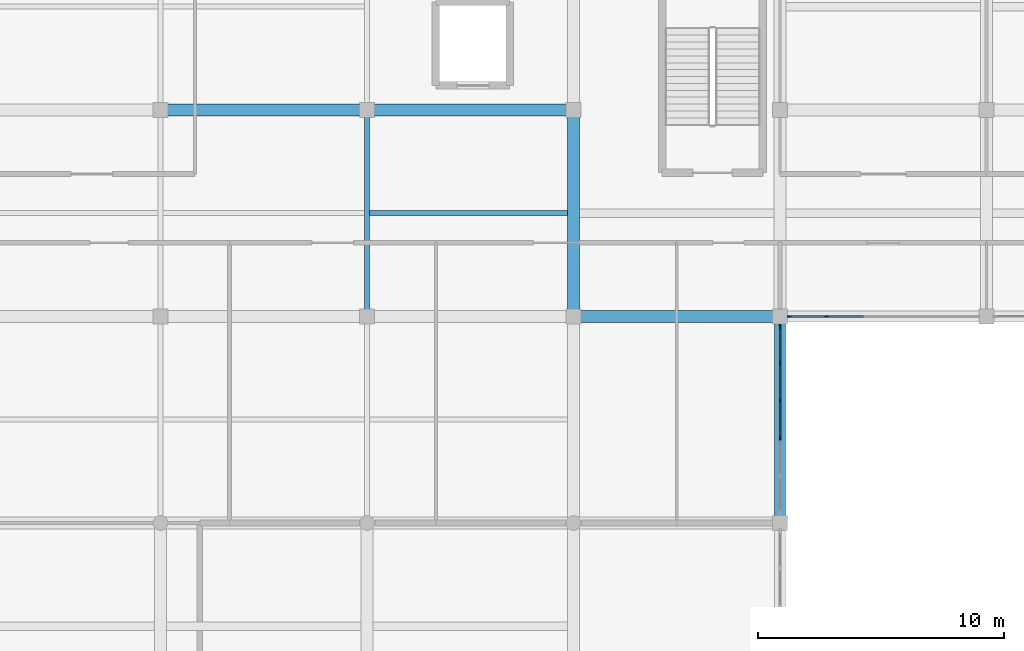
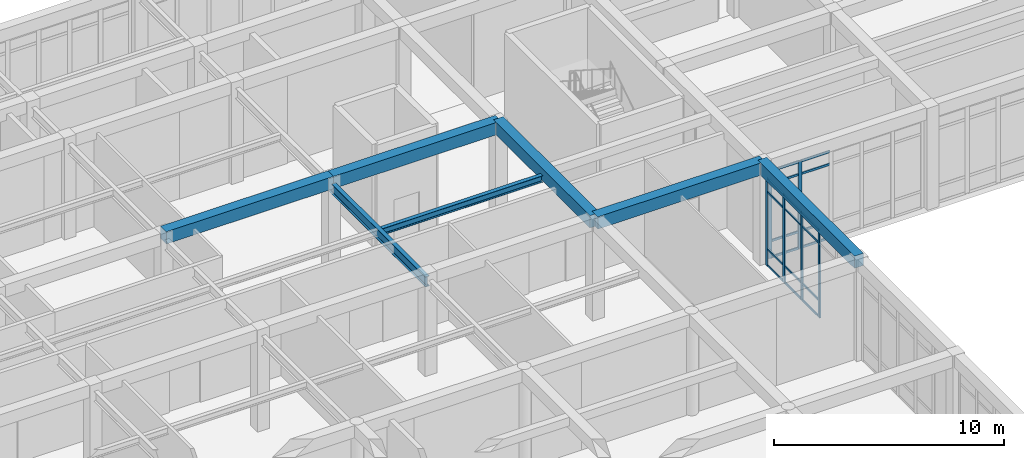
# One storey, part 25 of 89: 26 members, 7 beams, 2 elements without a shape of their own.
"""IFC4 building model written with IfcOpenShell, lengths in metres."""

from ifc_helpers import new_model, si_unit, direction, frame, origin, origin_2d, place, context, subcontext, project, spatial, rectangle, i_section, extrude, material, material_profile, profile_set, type_object, element, aggregate, save


model = new_model("IFC4")

# Units and contexts
model_context = context("Model", 3, precision=1e-05, world=origin(), true_north=direction((0.0, 1.0)))
body_context = subcontext(model_context, "Body", "Model", "MODEL_VIEW")
ifc_project = project(units=[si_unit("LENGTHUNIT", "METRE"), si_unit("AREAUNIT", "SQUARE_METRE"), si_unit("VOLUMEUNIT", "CUBIC_METRE"), si_unit("PLANEANGLEUNIT", "RADIAN"), si_unit("MASSUNIT", "GRAM", prefix="KILO")], contexts=[model_context])

# Site, building, storey
site_placement = place(None, origin())
site = spatial("IfcSite", under=ifc_project, at=site_placement, CompositionType="ELEMENT")
building_placement = place(site_placement, origin())
building = spatial("IfcBuilding", under=site, at=building_placement, Name="Varncliffe General Hospital", CompositionType="ELEMENT")
storey_placement = place(building_placement, frame((0.0, 0.0, 10.800048828125)))
storey = spatial("IfcBuildingStorey", under=building, at=storey_placement, Name="L02", CompositionType="ELEMENT", Elevation=10.800048828125)

# Beams
ifc_material_1 = material(Name="Concrete C35/45 (CSA A23.1 35 MPa)", Category="concrete")
ifc_material_profile_1 = material_profile(ifc_material_1, rectangle(XDim=0.5, YDim=0.64990234375, at=origin_2d()), Name="RC 500x650")
ifc_profile_set_1 = profile_set([ifc_material_profile_1], Name="Concrete C35/45 (CSA A23.1 35 MPa)")
beam_type_1 = type_object("IfcBeamType", Name="Beam B29 (Int RC 500x650)", PredefinedType="BEAM", material=ifc_profile_set_1)
for number, where, z_axis, x_axis, name in (
    (1, (109.199951171875, 82.800048828125, 5.074951171875), (1.0, 0.0, 0.0), (0.0, 1.0, 0.0), "L02 Primary Beam B29-106"),
    (2, (92.39990234375, 91.199951171875, 5.074951171875), (1.0, 0.0, 0.0), (0.0, 1.0, 0.0), "L02 Primary Beam B29-123"),
):
    element("IfcBeam", number, at=place(storey_placement, frame(where, z_axis=z_axis, x_axis=x_axis)), inside=storey, type_object=beam_type_1, Name=name, PredefinedType="BEAM", context=body_context, shape_type="SweptSolid", body=[
        extrude(rectangle(XDim=0.5, YDim=0.64990234375, at=origin_2d()), origin(), (0.0, 0.0, 1.0), 8.400146484375),
    ])
for number, where, z_axis, x_axis, name in (
    (3, (100.800048828125, 91.199951171875, 5.074951171875), (1.0, 0.0, 0.0), (0.0, 1.0, 0.0), "L02 Primary Beam B29-124"),
    (4, (109.199951171875, 82.800048828125, 5.074951171875), (0.0, 1.0, 0.0), (-1.0, 0.0, 0.0), "L02 Primary Beam B29-377"),
):
    element("IfcBeam", number, at=place(storey_placement, frame(where, z_axis=z_axis, x_axis=x_axis)), inside=storey, type_object=beam_type_1, Name=name, PredefinedType="BEAM", context=body_context, shape_type="SweptSolid", body=[
        extrude(rectangle(XDim=0.5, YDim=0.64990234375, at=origin_2d()), origin(), (0.0, 0.0, 1.0), 8.39990234375),
    ])
ifc_material_2 = material(Name="Steel S355 (CSA G40.21 350W)", Category="steel")
ifc_material_profile_2 = material_profile(ifc_material_2, i_section(OverallWidth=0.2109375, OverallDepth=0.5390625, WebThickness=0.01171875, FlangeThickness=0.018798828125, FilletRadius=0.013916015625, at=origin_2d()), Name="W530x109")
ifc_profile_set_2 = profile_set([ifc_material_profile_2], Name="Steel S355 (CSA G40.21 350W)")
beam_type_2 = type_object("IfcBeamType", Name="Beam B56 (Int W530x109)", PredefinedType="BEAM", material=ifc_profile_set_2)
beam_1_placement = place(storey_placement, frame((100.800048828125, 82.800048828125, 4.7705078125), z_axis=(0.0, 1.0, 0.0), x_axis=(-1.0, 0.0, 0.0)))
element("IfcBeam", 5, at=beam_1_placement, inside=storey, type_object=beam_type_2, Name="L02 Primary Beam B56-368", PredefinedType="BEAM", context=body_context, shape_type="SweptSolid", body=[
    extrude(i_section(OverallWidth=0.2109375, OverallDepth=0.5390625, WebThickness=0.01171875, FlangeThickness=0.018798828125, FilletRadius=0.013916015625, at=origin_2d()), origin(), (0.0, 0.0, 1.0), 8.39990234375),
])

# Curtain wall, members
ifc_material_3 = material(Name="Triple low-E argon insulated vision glazing", Category="glass")
curtain_wall_type_1 = type_object("IfcCurtainWallType", Name="Unitised Glazed Curtain Wall CW70 (7724x4640)", PredefinedType="USERDEFINED", material=ifc_material_3)
curtain_wall_1_placement = place(storey_placement, origin())
curtain_wall_1 = element("IfcCurtainWall", 6, at=curtain_wall_1_placement, inside=storey, type_object=curtain_wall_type_1, Name="L02 Glazed Curtain Wall CW70-130", ObjectType="GLAZED CURTAIN WALL", PredefinedType="USERDEFINED")
ifc_material_4 = material(Name="Dark bronze thermally broken aluminium framing", Category="aluminium")
ifc_material_profile_3 = material_profile(ifc_material_4, rectangle(XDim=0.074951171875, YDim=0.179931640625, at=origin_2d()), Name="ALU 75x180")
ifc_profile_set_3 = profile_set([ifc_material_profile_3], Name="Dark bronze thermally broken aluminium framing")
member_type_1 = type_object("IfcMemberType", Name="Curtain Wall Mullion CM44 (ALU 75x180)", PredefinedType="MULLION", material=ifc_profile_set_3)
member_1_placement = place(storey_placement, frame((119.48291015625, 82.800048828125, 0.0), z_axis=(0.0, 0.0, 1.0), x_axis=(0.0, -1.0, 0.0)))
member_1 = element("IfcMember", 7, at=member_1_placement, type_object=member_type_1, Name="CW70 mullion 5", PredefinedType="MULLION", context=body_context, shape_type="SweptSolid", body=[
    extrude(rectangle(XDim=0.074951171875, YDim=0.179931640625, at=origin_2d()), origin(), (0.0, 0.0, 1.0), 4.639892578125),
])
member_2_placement = place(storey_placement, frame((117.9755859375, 82.800048828125, 0.0), z_axis=(0.0, 0.0, 1.0), x_axis=(0.0, -1.0, 0.0)))
member_2 = element("IfcMember", 8, at=member_2_placement, type_object=member_type_1, Name="CW70 mullion 6", PredefinedType="MULLION", context=body_context, shape_type="SweptSolid", body=[
    extrude(rectangle(XDim=0.074951171875, YDim=0.179931640625, at=origin_2d()), origin(), (0.0, 0.0, 1.0), 4.639892578125),
])

curtain_wall_type_2 = type_object("IfcCurtainWallType", Name="Unitised Glazed Curtain Wall CW27 (7644x4640)", PredefinedType="USERDEFINED", material=ifc_material_3)
curtain_wall_2_placement = place(storey_placement, origin())
curtain_wall_2 = element("IfcCurtainWall", 9, at=curtain_wall_2_placement, inside=storey, type_object=curtain_wall_type_2, Name="L02 Glazed Curtain Wall CW27-131", ObjectType="GLAZED CURTAIN WALL", PredefinedType="USERDEFINED")
ifc_material_profile_4 = material_profile(ifc_material_4, rectangle(XDim=0.06494140625, YDim=0.159912109375, at=origin_2d()), Name="ALU 65x160")
ifc_profile_set_4 = profile_set([ifc_material_profile_4], Name="Dark bronze thermally broken aluminium framing")
member_type_2 = type_object("IfcMemberType", Name="Curtain Wall Mullion CM65 (ALU 65x160)", PredefinedType="MULLION", material=ifc_profile_set_4)
member_3_placement = place(storey_placement, frame((117.60009765625, 82.389404296875, 0.0), z_axis=(0.0, 0.0, 1.0), x_axis=(1.0, 0.0, 0.0)))
member_3 = element("IfcMember", 10, at=member_3_placement, type_object=member_type_2, Name="CW27 mullion 1", PredefinedType="MULLION", context=body_context, shape_type="SweptSolid", body=[
    extrude(rectangle(XDim=0.06494140625, YDim=0.159912109375, at=origin_2d()), origin(), (0.0, 0.0, 1.0), 4.639892578125),
])
member_4_placement = place(storey_placement, frame((117.60009765625, 80.893310546875, 0.0), z_axis=(0.0, 0.0, 1.0), x_axis=(1.0, 0.0, 0.0)))
member_4 = element("IfcMember", 11, at=member_4_placement, type_object=member_type_2, Name="CW27 mullion 2", PredefinedType="MULLION", context=body_context, shape_type="SweptSolid", body=[
    extrude(rectangle(XDim=0.06494140625, YDim=0.159912109375, at=origin_2d()), origin(), (0.0, 0.0, 1.0), 4.639892578125),
])
member_5_placement = place(storey_placement, frame((117.60009765625, 79.364501953125, 0.0), z_axis=(0.0, 0.0, 1.0), x_axis=(1.0, 0.0, 0.0)))
member_5 = element("IfcMember", 12, at=member_5_placement, type_object=member_type_2, Name="CW27 mullion 3", PredefinedType="MULLION", context=body_context, shape_type="SweptSolid", body=[
    extrude(rectangle(XDim=0.06494140625, YDim=0.159912109375, at=origin_2d()), origin(), (0.0, 0.0, 1.0), 4.639892578125),
])
member_6_placement = place(storey_placement, frame((117.60009765625, 77.835693359375, 0.0), z_axis=(0.0, 0.0, 1.0), x_axis=(1.0, 0.0, 0.0)))
member_6 = element("IfcMember", 13, at=member_6_placement, type_object=member_type_2, Name="CW27 mullion 4", PredefinedType="MULLION", context=body_context, shape_type="SweptSolid", body=[
    extrude(rectangle(XDim=0.06494140625, YDim=0.159912109375, at=origin_2d()), origin(), (0.0, 0.0, 1.0), 4.639892578125),
])

# Member
ifc_material_profile_5 = material_profile(ifc_material_4, rectangle(XDim=0.06005859375, YDim=0.1201171875, at=origin_2d()), Name="ALU 60x120")
ifc_profile_set_5 = profile_set([ifc_material_profile_5], Name="Dark bronze thermally broken aluminium framing")
member_type_3 = type_object("IfcMemberType", Name="Curtain Wall Transom CT14 (ALU 60x120)", PredefinedType="USERDEFINED", material=ifc_profile_set_5)
member_7_placement = place(storey_placement, frame((120.989990234375, 82.800048828125, 0.030029296875), z_axis=(-1.0, 0.0, 0.0), x_axis=(0.0, -1.0, 0.0)))
member_7 = element("IfcMember", 14, at=member_7_placement, type_object=member_type_3, Name="CW70 transom 4.1", ObjectType="TRANSOM", PredefinedType="USERDEFINED", context=body_context, shape_type="SweptSolid", body=[
    extrude(rectangle(XDim=0.06005859375, YDim=0.1201171875, at=origin_2d()), origin(), (0.0, 0.0, 1.0), 1.4697265625),
])

member_8_placement = place(storey_placement, frame((120.989990234375, 82.800048828125, 0.89990234375), z_axis=(-1.0, 0.0, 0.0), x_axis=(0.0, -1.0, 0.0)))
member_8 = element("IfcMember", 15, at=member_8_placement, type_object=member_type_3, Name="CW70 transom 4.2", ObjectType="TRANSOM", PredefinedType="USERDEFINED", context=body_context, shape_type="SweptSolid", body=[
    extrude(rectangle(XDim=0.06005859375, YDim=0.1201171875, at=origin_2d()), origin(), (0.0, 0.0, 1.0), 1.4697265625),
])

member_9_placement = place(storey_placement, frame((120.989990234375, 82.800048828125, 3.93994140625), z_axis=(-1.0, 0.0, 0.0), x_axis=(0.0, -1.0, 0.0)))
member_9 = element("IfcMember", 16, at=member_9_placement, type_object=member_type_3, Name="CW70 transom 4.3", ObjectType="TRANSOM", PredefinedType="USERDEFINED", context=body_context, shape_type="SweptSolid", body=[
    extrude(rectangle(XDim=0.06005859375, YDim=0.1201171875, at=origin_2d()), origin(), (0.0, 0.0, 1.0), 1.4697265625),
])

member_10_placement = place(storey_placement, frame((120.989990234375, 82.800048828125, 4.60986328125), z_axis=(-1.0, 0.0, 0.0), x_axis=(0.0, -1.0, 0.0)))
member_10 = element("IfcMember", 17, at=member_10_placement, type_object=member_type_3, Name="CW70 transom 4.4", ObjectType="TRANSOM", PredefinedType="USERDEFINED", context=body_context, shape_type="SweptSolid", body=[
    extrude(rectangle(XDim=0.06005859375, YDim=0.1201171875, at=origin_2d()), origin(), (0.0, 0.0, 1.0), 1.4697265625),
])

member_11_placement = place(storey_placement, frame((119.4453125, 82.800048828125, 0.030029296875), z_axis=(-1.0, 0.0, 0.0), x_axis=(0.0, -1.0, 0.0)))
member_11 = element("IfcMember", 18, at=member_11_placement, type_object=member_type_3, Name="CW70 transom 5.1", ObjectType="TRANSOM", PredefinedType="USERDEFINED", context=body_context, shape_type="SweptSolid", body=[
    extrude(rectangle(XDim=0.06005859375, YDim=0.1201171875, at=origin_2d()), origin(), (0.0, 0.0, 1.0), 1.432373046875),
])

member_12_placement = place(storey_placement, frame((119.4453125, 82.800048828125, 0.89990234375), z_axis=(-1.0, 0.0, 0.0), x_axis=(0.0, -1.0, 0.0)))
member_12 = element("IfcMember", 19, at=member_12_placement, type_object=member_type_3, Name="CW70 transom 5.2", ObjectType="TRANSOM", PredefinedType="USERDEFINED", context=body_context, shape_type="SweptSolid", body=[
    extrude(rectangle(XDim=0.06005859375, YDim=0.1201171875, at=origin_2d()), origin(), (0.0, 0.0, 1.0), 1.432373046875),
])

member_13_placement = place(storey_placement, frame((119.4453125, 82.800048828125, 3.93994140625), z_axis=(-1.0, 0.0, 0.0), x_axis=(0.0, -1.0, 0.0)))
member_13 = element("IfcMember", 20, at=member_13_placement, type_object=member_type_3, Name="CW70 transom 5.3", ObjectType="TRANSOM", PredefinedType="USERDEFINED", context=body_context, shape_type="SweptSolid", body=[
    extrude(rectangle(XDim=0.06005859375, YDim=0.1201171875, at=origin_2d()), origin(), (0.0, 0.0, 1.0), 1.432373046875),
])

member_14_placement = place(storey_placement, frame((119.4453125, 82.800048828125, 4.60986328125), z_axis=(-1.0, 0.0, 0.0), x_axis=(0.0, -1.0, 0.0)))
member_14 = element("IfcMember", 21, at=member_14_placement, type_object=member_type_3, Name="CW70 transom 5.4", ObjectType="TRANSOM", PredefinedType="USERDEFINED", context=body_context, shape_type="SweptSolid", body=[
    extrude(rectangle(XDim=0.06005859375, YDim=0.1201171875, at=origin_2d()), origin(), (0.0, 0.0, 1.0), 1.432373046875),
])

aggregate(curtain_wall_1, [member_1, member_2, member_7, member_8, member_9, member_10, member_11, member_12, member_13, member_14])

ifc_material_profile_6 = material_profile(ifc_material_4, rectangle(XDim=0.06005859375, YDim=0.10009765625, at=origin_2d()), Name="ALU 60x100")
ifc_profile_set_6 = profile_set([ifc_material_profile_6], Name="Dark bronze thermally broken aluminium framing")
member_type_4 = type_object("IfcMemberType", Name="Curtain Wall Transom CT18 (ALU 60x100)", PredefinedType="USERDEFINED", material=ifc_profile_set_6)
member_15_placement = place(storey_placement, frame((117.60009765625, 82.35693359375, 0.030029296875), z_axis=(0.0, -1.0, 0.0), x_axis=(1.0, 0.0, 0.0)))
member_15 = element("IfcMember", 22, at=member_15_placement, type_object=member_type_4, Name="CW27 transom 1.1", ObjectType="TRANSOM", PredefinedType="USERDEFINED", context=body_context, shape_type="SweptSolid", body=[
    extrude(rectangle(XDim=0.06005859375, YDim=0.10009765625, at=origin_2d()), origin(), (0.0, 0.0, 1.0), 1.43115234375),
])

member_16_placement = place(storey_placement, frame((117.60009765625, 82.35693359375, 0.89990234375), z_axis=(0.0, -1.0, 0.0), x_axis=(1.0, 0.0, 0.0)))
member_16 = element("IfcMember", 23, at=member_16_placement, type_object=member_type_4, Name="CW27 transom 1.2", ObjectType="TRANSOM", PredefinedType="USERDEFINED", context=body_context, shape_type="SweptSolid", body=[
    extrude(rectangle(XDim=0.06005859375, YDim=0.10009765625, at=origin_2d()), origin(), (0.0, 0.0, 1.0), 1.43115234375),
])

member_17_placement = place(storey_placement, frame((117.60009765625, 82.35693359375, 3.93994140625), z_axis=(0.0, -1.0, 0.0), x_axis=(1.0, 0.0, 0.0)))
member_17 = element("IfcMember", 24, at=member_17_placement, type_object=member_type_4, Name="CW27 transom 1.3", ObjectType="TRANSOM", PredefinedType="USERDEFINED", context=body_context, shape_type="SweptSolid", body=[
    extrude(rectangle(XDim=0.06005859375, YDim=0.10009765625, at=origin_2d()), origin(), (0.0, 0.0, 1.0), 1.43115234375),
])

member_18_placement = place(storey_placement, frame((117.60009765625, 82.35693359375, 4.60986328125), z_axis=(0.0, -1.0, 0.0), x_axis=(1.0, 0.0, 0.0)))
member_18 = element("IfcMember", 25, at=member_18_placement, type_object=member_type_4, Name="CW27 transom 1.4", ObjectType="TRANSOM", PredefinedType="USERDEFINED", context=body_context, shape_type="SweptSolid", body=[
    extrude(rectangle(XDim=0.06005859375, YDim=0.10009765625, at=origin_2d()), origin(), (0.0, 0.0, 1.0), 1.43115234375),
])

member_19_placement = place(storey_placement, frame((117.60009765625, 80.860595703125, 0.030029296875), z_axis=(0.0, -1.0, 0.0), x_axis=(1.0, 0.0, 0.0)))
member_19 = element("IfcMember", 26, at=member_19_placement, type_object=member_type_4, Name="CW27 transom 2.1", ObjectType="TRANSOM", PredefinedType="USERDEFINED", context=body_context, shape_type="SweptSolid", body=[
    extrude(rectangle(XDim=0.06005859375, YDim=0.10009765625, at=origin_2d()), origin(), (0.0, 0.0, 1.0), 1.463623046875),
])

member_20_placement = place(storey_placement, frame((117.60009765625, 80.860595703125, 0.89990234375), z_axis=(0.0, -1.0, 0.0), x_axis=(1.0, 0.0, 0.0)))
member_20 = element("IfcMember", 27, at=member_20_placement, type_object=member_type_4, Name="CW27 transom 2.2", ObjectType="TRANSOM", PredefinedType="USERDEFINED", context=body_context, shape_type="SweptSolid", body=[
    extrude(rectangle(XDim=0.06005859375, YDim=0.10009765625, at=origin_2d()), origin(), (0.0, 0.0, 1.0), 1.463623046875),
])

member_21_placement = place(storey_placement, frame((117.60009765625, 80.860595703125, 3.93994140625), z_axis=(0.0, -1.0, 0.0), x_axis=(1.0, 0.0, 0.0)))
member_21 = element("IfcMember", 28, at=member_21_placement, type_object=member_type_4, Name="CW27 transom 2.3", ObjectType="TRANSOM", PredefinedType="USERDEFINED", context=body_context, shape_type="SweptSolid", body=[
    extrude(rectangle(XDim=0.06005859375, YDim=0.10009765625, at=origin_2d()), origin(), (0.0, 0.0, 1.0), 1.463623046875),
])

member_22_placement = place(storey_placement, frame((117.60009765625, 80.860595703125, 4.60986328125), z_axis=(0.0, -1.0, 0.0), x_axis=(1.0, 0.0, 0.0)))
member_22 = element("IfcMember", 29, at=member_22_placement, type_object=member_type_4, Name="CW27 transom 2.4", ObjectType="TRANSOM", PredefinedType="USERDEFINED", context=body_context, shape_type="SweptSolid", body=[
    extrude(rectangle(XDim=0.06005859375, YDim=0.10009765625, at=origin_2d()), origin(), (0.0, 0.0, 1.0), 1.463623046875),
])

member_23_placement = place(storey_placement, frame((117.60009765625, 79.331787109375, 0.030029296875), z_axis=(0.0, -1.0, 0.0), x_axis=(1.0, 0.0, 0.0)))
member_23 = element("IfcMember", 30, at=member_23_placement, type_object=member_type_4, Name="CW27 transom 3.1", ObjectType="TRANSOM", PredefinedType="USERDEFINED", context=body_context, shape_type="SweptSolid", body=[
    extrude(rectangle(XDim=0.06005859375, YDim=0.10009765625, at=origin_2d()), origin(), (0.0, 0.0, 1.0), 1.463623046875),
])

member_24_placement = place(storey_placement, frame((117.60009765625, 79.331787109375, 0.89990234375), z_axis=(0.0, -1.0, 0.0), x_axis=(1.0, 0.0, 0.0)))
member_24 = element("IfcMember", 31, at=member_24_placement, type_object=member_type_4, Name="CW27 transom 3.2", ObjectType="TRANSOM", PredefinedType="USERDEFINED", context=body_context, shape_type="SweptSolid", body=[
    extrude(rectangle(XDim=0.06005859375, YDim=0.10009765625, at=origin_2d()), origin(), (0.0, 0.0, 1.0), 1.463623046875),
])

member_25_placement = place(storey_placement, frame((117.60009765625, 79.331787109375, 3.93994140625), z_axis=(0.0, -1.0, 0.0), x_axis=(1.0, 0.0, 0.0)))
member_25 = element("IfcMember", 32, at=member_25_placement, type_object=member_type_4, Name="CW27 transom 3.3", ObjectType="TRANSOM", PredefinedType="USERDEFINED", context=body_context, shape_type="SweptSolid", body=[
    extrude(rectangle(XDim=0.06005859375, YDim=0.10009765625, at=origin_2d()), origin(), (0.0, 0.0, 1.0), 1.463623046875),
])

member_26_placement = place(storey_placement, frame((117.60009765625, 79.331787109375, 4.60986328125), z_axis=(0.0, -1.0, 0.0), x_axis=(1.0, 0.0, 0.0)))
member_26 = element("IfcMember", 33, at=member_26_placement, type_object=member_type_4, Name="CW27 transom 3.4", ObjectType="TRANSOM", PredefinedType="USERDEFINED", context=body_context, shape_type="SweptSolid", body=[
    extrude(rectangle(XDim=0.06005859375, YDim=0.10009765625, at=origin_2d()), origin(), (0.0, 0.0, 1.0), 1.463623046875),
])

aggregate(curtain_wall_2, [member_3, member_4, member_5, member_6, member_15, member_16, member_17, member_18, member_19, member_20, member_21, member_22, member_23, member_24, member_25, member_26])

# Beams
ifc_material_profile_7 = material_profile(ifc_material_2, i_section(OverallWidth=0.202880859375, OverallDepth=0.346923828125, WebThickness=0.0078125, FlangeThickness=0.013427734375, FilletRadius=0.010986328125, at=origin_2d()), Name="W360x64")
ifc_profile_set_7 = profile_set([ifc_material_profile_7], Name="Steel S355 (CSA G40.21 350W)")
beam_type_3 = type_object("IfcBeamType", Name="Joist J14 (Int W360x64)", PredefinedType="JOIST", material=ifc_profile_set_7)
beam_2_placement = place(storey_placement, frame((100.903564453125, 87.0, 4.866455078125), z_axis=(1.0, 0.0, 0.0), x_axis=(0.0, 1.0, 0.0)))
element("IfcBeam", 34, at=beam_2_placement, inside=storey, type_object=beam_type_3, Name="L02 Secondary Floor Rib J14-43", PredefinedType="JOIST", context=body_context, shape_type="SweptSolid", body=[
    extrude(i_section(OverallWidth=0.202880859375, OverallDepth=0.346923828125, WebThickness=0.0078125, FlangeThickness=0.013427734375, FilletRadius=0.010986328125, at=origin_2d()), origin(), (0.0, 0.0, 1.0), 8.04833984375),
])
ifc_material_profile_8 = material_profile(ifc_material_1, rectangle(XDim=0.449951171875, YDim=0.64990234375, at=origin_2d()), Name="RC 450x650")
ifc_profile_set_8 = profile_set([ifc_material_profile_8], Name="Concrete C35/45 (CSA A23.1 35 MPa)")
beam_type_4 = type_object("IfcBeamType", Name="Spandrel SP38 (Ext RC 450x650B)", PredefinedType="SPANDREL", material=ifc_profile_set_8)
beam_3_placement = place(storey_placement, frame((117.60009765625, 74.39990234375, 5.074951171875), z_axis=(0.0, 1.0, 0.0), x_axis=(-1.0, 0.0, 0.0)))
element("IfcBeam", 35, at=beam_3_placement, inside=storey, type_object=beam_type_4, Name="L02 Spandrel Beam SP38-394", PredefinedType="SPANDREL", context=body_context, shape_type="SweptSolid", body=[
    extrude(rectangle(XDim=0.449951171875, YDim=0.64990234375, at=origin_2d()), origin(), (0.0, 0.0, 1.0), 8.400146484375),
])

save(model, "model.ifc")
